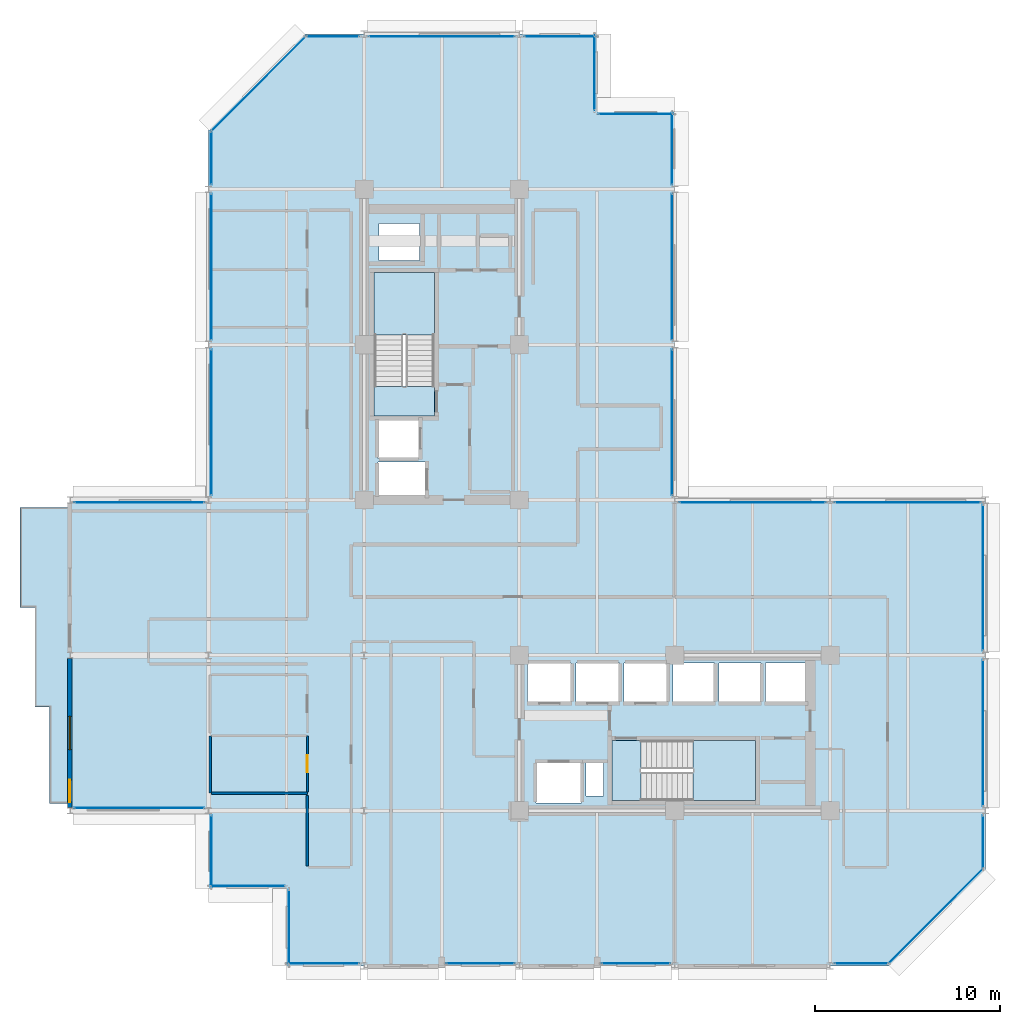
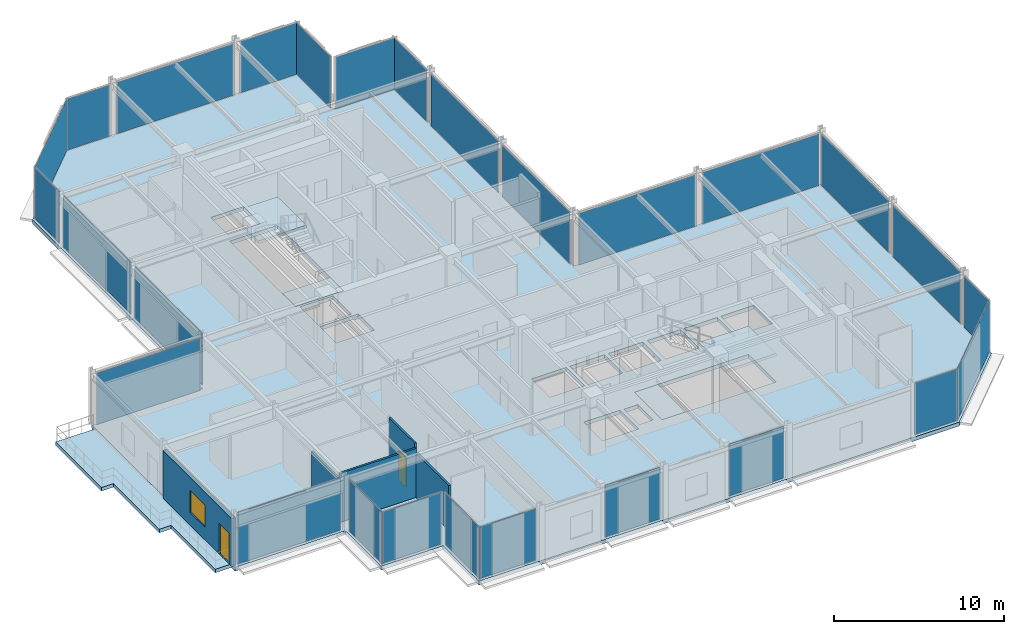
# One storey, part 23 of 29: 27 plates, 6 slabs, 5 walls, 2 doors, 1 window, 3 openings, 29 elements without a shape of their own.
"""IFC4 building model written with IfcOpenShell, lengths in metres."""

from ifc_helpers import new_model, si_unit, direction, frame, frame_2d, origin, origin_2d, place, context, subcontext, project, spatial, polyline, rectangle, outline, extrude, material, layer, layer_set, type_object, element, fill, aggregate, save


model = new_model("IFC4")

# Units and contexts
model_context = context("Model", 3, precision=1e-05, world=origin(), true_north=direction((0.0, 1.0)))
body_context = subcontext(model_context, "Body", "Model", "MODEL_VIEW")
ifc_project = project(units=[si_unit("LENGTHUNIT", "METRE"), si_unit("AREAUNIT", "SQUARE_METRE"), si_unit("VOLUMEUNIT", "CUBIC_METRE"), si_unit("PLANEANGLEUNIT", "RADIAN"), si_unit("MASSUNIT", "GRAM", prefix="KILO")], contexts=[model_context])

# Site, building, storey
site_placement = place(None, origin())
site = spatial("IfcSite", under=ifc_project, at=site_placement, CompositionType="ELEMENT")
building_placement = place(site_placement, origin())
building = spatial("IfcBuilding", under=site, at=building_placement, Name="Nerrivon Quay Data Exchange", CompositionType="ELEMENT")
storey_placement = place(building_placement, frame((0.0, 0.0, 191.89990234375)))
storey = spatial("IfcBuildingStorey", under=building, at=storey_placement, Name="L45", CompositionType="ELEMENT", Elevation=191.89990234375)

# Curtain wall, plate
ifc_material_1 = material(Name="Anodised aluminium 6063-T6", Category="aluminium")
ifc_layer_1 = layer(ifc_material_1, 0.199951171875)
ifc_layer_set_1 = layer_set([ifc_layer_1], Name="Anodised aluminium 6063-T6")
curtain_wall_type_1 = type_object("IfcCurtainWallType", Name="CW-SYS-04", PredefinedType="NOTDEFINED", material=ifc_layer_set_1)
curtain_wall_1_placement = place(storey_placement, origin())
curtain_wall_1 = element("IfcCurtainWall", 1, at=curtain_wall_1_placement, inside=storey, type_object=curtain_wall_type_1, Name="L45 Unitised Curtain Wall 3", PredefinedType="NOTDEFINED")
ifc_material_2 = material(Name="Double-glazed low-E solar control glass", Category="glass")
ifc_layer_2 = layer(ifc_material_2, 0.028076171875)
ifc_layer_set_2 = layer_set([ifc_layer_2], Name="Double-glazed low-E solar control glass")
plate_type = type_object("IfcPlateType", Name="CWP-GLZ-28", PredefinedType="CURTAIN_PANEL", material=ifc_layer_set_2)
plate_1_placement = place(storey_placement, frame((-3.759765625, 25.06005859375, 0.06494140625), z_axis=(0.0, 0.0, 1.0), x_axis=(1.0, 0.0, 0.0)))
plate_1 = element("IfcPlate", 2, at=plate_1_placement, type_object=plate_type, Name="CW04 panel 1.1", PredefinedType="CURTAIN_PANEL", context=body_context, shape_type="SweptSolid", body=[
    extrude(rectangle(XDim=7.01953125, YDim=0.028076171875, at=origin_2d()), origin(), (0.0, 0.0, 1.0), 3.695068359375),
])
aggregate(curtain_wall_1, [plate_1])

ifc_layer_3 = layer(ifc_material_1, 0.195068359375)
ifc_layer_set_3 = layer_set([ifc_layer_3], Name="Anodised aluminium 6063-T6")
curtain_wall_type_2 = type_object("IfcCurtainWallType", Name="CW-SYS-06", PredefinedType="NOTDEFINED", material=ifc_layer_set_3)
curtain_wall_2_placement = place(storey_placement, origin())
curtain_wall_2 = element("IfcCurtainWall", 3, at=curtain_wall_2_placement, inside=storey, type_object=curtain_wall_type_2, Name="L45 Unitised Curtain Wall 4", PredefinedType="NOTDEFINED")
plate_2_placement = place(storey_placement, frame((0.139892578125, 29.39990234375, 0.06494140625), z_axis=(0.0, 0.0, 1.0), x_axis=(0.0, 1.0, 0.0)))
plate_2 = element("IfcPlate", 4, at=plate_2_placement, type_object=plate_type, Name="CW06 panel 1.1", PredefinedType="CURTAIN_PANEL", context=body_context, shape_type="SweptSolid", body=[
    extrude(rectangle(XDim=7.89990234375, YDim=0.028076171875, at=origin_2d()), origin(), (0.0, 0.0, 1.0), 3.695068359375),
])
aggregate(curtain_wall_2, [plate_2])

curtain_wall_3_placement = place(storey_placement, origin())
curtain_wall_3 = element("IfcCurtainWall", 5, at=curtain_wall_3_placement, inside=storey, type_object=curtain_wall_type_2, Name="L45 Unitised Curtain Wall 5", PredefinedType="NOTDEFINED")
plate_3_placement = place(storey_placement, frame((0.139892578125, 37.800048828125, 0.06494140625), z_axis=(0.0, 0.0, 1.0), x_axis=(0.0, 1.0, 0.0)))
plate_3 = element("IfcPlate", 6, at=plate_3_placement, type_object=plate_type, Name="CW06 panel 1.1", PredefinedType="CURTAIN_PANEL", context=body_context, shape_type="SweptSolid", body=[
    extrude(rectangle(XDim=7.89990234375, YDim=0.028076171875, at=origin_2d()), origin(), (0.0, 0.0, 1.0), 3.695068359375),
])
aggregate(curtain_wall_3, [plate_3])

curtain_wall_4_placement = place(storey_placement, origin())
curtain_wall_4 = element("IfcCurtainWall", 7, at=curtain_wall_4_placement, inside=storey, type_object=curtain_wall_type_2, Name="L45 Unitised Curtain Wall 6", PredefinedType="NOTDEFINED")
plate_4_placement = place(storey_placement, frame((0.139892578125, 43.6875, 0.06494140625), z_axis=(0.0, 0.0, 1.0), x_axis=(0.0, 1.0, 0.0)))
plate_4 = element("IfcPlate", 8, at=plate_4_placement, type_object=plate_type, Name="CW06 panel 1.1", PredefinedType="CURTAIN_PANEL", context=body_context, shape_type="SweptSolid", body=[
    extrude(rectangle(XDim=2.875, YDim=0.028076171875, at=origin_2d()), origin(), (0.0, 0.0, 1.0), 3.695068359375),
])
aggregate(curtain_wall_4, [plate_4])

curtain_wall_5_placement = place(storey_placement, origin())
curtain_wall_5 = element("IfcCurtainWall", 9, at=curtain_wall_5_placement, inside=storey, type_object=curtain_wall_type_2, Name="L45 Unitised Curtain Wall 7", PredefinedType="NOTDEFINED")
plate_5_placement = place(storey_placement, frame((2.698974609375, 47.700927734375, 0.06494140625), z_axis=(0.0, 0.0, 1.0), x_axis=(0.707106781187, 0.707106781187, 0.0)))
plate_5 = element("IfcPlate", 10, at=plate_5_placement, type_object=plate_type, Name="CW06 panel 1.1", PredefinedType="CURTAIN_PANEL", context=body_context, shape_type="SweptSolid", body=[
    extrude(rectangle(XDim=7.203857421875, YDim=0.028076171875, at=origin_2d()), origin(), (0.0, 0.0, 1.0), 3.695068359375),
])
aggregate(curtain_wall_5, [plate_5])

curtain_wall_6_placement = place(storey_placement, origin())
curtain_wall_6 = element("IfcCurtainWall", 11, at=curtain_wall_6_placement, inside=storey, type_object=curtain_wall_type_2, Name="L45 Unitised Curtain Wall 8", PredefinedType="NOTDEFINED")
plate_6_placement = place(storey_placement, frame((6.71240234375, 50.260009765625, 0.06494140625), z_axis=(0.0, 0.0, 1.0), x_axis=(1.0, 0.0, 0.0)))
plate_6 = element("IfcPlate", 12, at=plate_6_placement, type_object=plate_type, Name="CW06 panel 1.1", PredefinedType="CURTAIN_PANEL", context=body_context, shape_type="SweptSolid", body=[
    extrude(rectangle(XDim=2.875, YDim=0.028076171875, at=origin_2d()), origin(), (0.0, 0.0, 1.0), 3.695068359375),
])
aggregate(curtain_wall_6, [plate_6])

curtain_wall_7_placement = place(storey_placement, origin())
curtain_wall_7 = element("IfcCurtainWall", 13, at=curtain_wall_7_placement, inside=storey, type_object=curtain_wall_type_2, Name="L45 Unitised Curtain Wall 9", PredefinedType="NOTDEFINED")
plate_7_placement = place(storey_placement, frame((12.60009765625, 50.260009765625, 0.06494140625), z_axis=(0.0, 0.0, 1.0), x_axis=(1.0, 0.0, 0.0)))
plate_7 = element("IfcPlate", 14, at=plate_7_placement, type_object=plate_type, Name="CW06 panel 1.1", PredefinedType="CURTAIN_PANEL", context=body_context, shape_type="SweptSolid", body=[
    extrude(rectangle(XDim=7.89990234375, YDim=0.028076171875, at=origin_2d()), origin(), (0.0, 0.0, 1.0), 3.695068359375),
])
aggregate(curtain_wall_7, [plate_7])

curtain_wall_8_placement = place(storey_placement, origin())
curtain_wall_8 = element("IfcCurtainWall", 15, at=curtain_wall_8_placement, inside=storey, type_object=curtain_wall_type_2, Name="L45 Unitised Curtain Wall 10", PredefinedType="NOTDEFINED")
plate_8_placement = place(storey_placement, frame((18.987548828125, 50.260009765625, 0.06494140625), z_axis=(0.0, 0.0, 1.0), x_axis=(1.0, 0.0, 0.0)))
plate_8 = element("IfcPlate", 16, at=plate_8_placement, type_object=plate_type, Name="CW06 panel 1.1", PredefinedType="CURTAIN_PANEL", context=body_context, shape_type="SweptSolid", body=[
    extrude(rectangle(XDim=3.875, YDim=0.028076171875, at=origin_2d()), origin(), (0.0, 0.0, 1.0), 3.695068359375),
])
aggregate(curtain_wall_8, [plate_8])

curtain_wall_9_placement = place(storey_placement, origin())
curtain_wall_9 = element("IfcCurtainWall", 17, at=curtain_wall_9_placement, inside=storey, type_object=curtain_wall_type_2, Name="L45 Unitised Curtain Wall 11", PredefinedType="NOTDEFINED")
plate_9_placement = place(storey_placement, frame((20.860107421875, 48.300048828125, 0.06494140625), z_axis=(0.0, 0.0, 1.0), x_axis=(0.0, -1.0, 0.0)))
plate_9 = element("IfcPlate", 18, at=plate_9_placement, type_object=plate_type, Name="CW06 panel 1.1", PredefinedType="CURTAIN_PANEL", context=body_context, shape_type="SweptSolid", body=[
    extrude(rectangle(XDim=4.050048828125, YDim=0.028076171875, at=origin_2d()), origin(), (0.0, 0.0, 1.0), 3.695068359375),
])
aggregate(curtain_wall_9, [plate_9])

curtain_wall_10_placement = place(storey_placement, origin())
curtain_wall_10 = element("IfcCurtainWall", 19, at=curtain_wall_10_placement, inside=storey, type_object=curtain_wall_type_2, Name="L45 Unitised Curtain Wall 12", PredefinedType="NOTDEFINED")
plate_10_placement = place(storey_placement, frame((23.10009765625, 46.06005859375, 0.06494140625), z_axis=(0.0, 0.0, 1.0), x_axis=(1.0, 0.0, 0.0)))
plate_10 = element("IfcPlate", 20, at=plate_10_placement, type_object=plate_type, Name="CW06 panel 1.1", PredefinedType="CURTAIN_PANEL", context=body_context, shape_type="SweptSolid", body=[
    extrude(rectangle(XDim=4.050048828125, YDim=0.028076171875, at=origin_2d()), origin(), (0.0, 0.0, 1.0), 3.695068359375),
])
aggregate(curtain_wall_10, [plate_10])

curtain_wall_11_placement = place(storey_placement, origin())
curtain_wall_11 = element("IfcCurtainWall", 21, at=curtain_wall_11_placement, inside=storey, type_object=curtain_wall_type_2, Name="L45 Unitised Curtain Wall 13", PredefinedType="NOTDEFINED")
plate_11_placement = place(storey_placement, frame((25.06005859375, 44.1875, 0.06494140625), z_axis=(0.0, 0.0, 1.0), x_axis=(0.0, -1.0, 0.0)))
plate_11 = element("IfcPlate", 22, at=plate_11_placement, type_object=plate_type, Name="CW06 panel 1.1", PredefinedType="CURTAIN_PANEL", context=body_context, shape_type="SweptSolid", body=[
    extrude(rectangle(XDim=3.875, YDim=0.028076171875, at=origin_2d()), origin(), (0.0, 0.0, 1.0), 3.695068359375),
])
aggregate(curtain_wall_11, [plate_11])

curtain_wall_12_placement = place(storey_placement, origin())
curtain_wall_12 = element("IfcCurtainWall", 23, at=curtain_wall_12_placement, inside=storey, type_object=curtain_wall_type_2, Name="L45 Unitised Curtain Wall 14", PredefinedType="NOTDEFINED")
plate_12_placement = place(storey_placement, frame((25.06005859375, 37.800048828125, 0.06494140625), z_axis=(0.0, 0.0, 1.0), x_axis=(0.0, -1.0, 0.0)))
plate_12 = element("IfcPlate", 24, at=plate_12_placement, type_object=plate_type, Name="CW06 panel 1.1", PredefinedType="CURTAIN_PANEL", context=body_context, shape_type="SweptSolid", body=[
    extrude(rectangle(XDim=7.89990234375, YDim=0.028076171875, at=origin_2d()), origin(), (0.0, 0.0, 1.0), 3.695068359375),
])
aggregate(curtain_wall_12, [plate_12])

curtain_wall_13_placement = place(storey_placement, origin())
curtain_wall_13 = element("IfcCurtainWall", 25, at=curtain_wall_13_placement, inside=storey, type_object=curtain_wall_type_2, Name="L45 Unitised Curtain Wall 15", PredefinedType="NOTDEFINED")
plate_13_placement = place(storey_placement, frame((25.06005859375, 29.39990234375, 0.06494140625), z_axis=(0.0, 0.0, 1.0), x_axis=(0.0, -1.0, 0.0)))
plate_13 = element("IfcPlate", 26, at=plate_13_placement, type_object=plate_type, Name="CW06 panel 1.1", PredefinedType="CURTAIN_PANEL", context=body_context, shape_type="SweptSolid", body=[
    extrude(rectangle(XDim=7.89990234375, YDim=0.028076171875, at=origin_2d()), origin(), (0.0, 0.0, 1.0), 3.695068359375),
])
aggregate(curtain_wall_13, [plate_13])

curtain_wall_14_placement = place(storey_placement, origin())
curtain_wall_14 = element("IfcCurtainWall", 27, at=curtain_wall_14_placement, inside=storey, type_object=curtain_wall_type_2, Name="L45 Unitised Curtain Wall 16", PredefinedType="NOTDEFINED")
plate_14_placement = place(storey_placement, frame((29.39990234375, 25.06005859375, 0.06494140625), z_axis=(0.0, 0.0, 1.0), x_axis=(1.0, 0.0, 0.0)))
plate_14 = element("IfcPlate", 28, at=plate_14_placement, type_object=plate_type, Name="CW06 panel 1.1", PredefinedType="CURTAIN_PANEL", context=body_context, shape_type="SweptSolid", body=[
    extrude(rectangle(XDim=7.89990234375, YDim=0.028076171875, at=origin_2d()), origin(), (0.0, 0.0, 1.0), 3.695068359375),
])
aggregate(curtain_wall_14, [plate_14])

curtain_wall_15_placement = place(storey_placement, origin())
curtain_wall_15 = element("IfcCurtainWall", 29, at=curtain_wall_15_placement, inside=storey, type_object=curtain_wall_type_2, Name="L45 Unitised Curtain Wall 17", PredefinedType="NOTDEFINED")
plate_15_placement = place(storey_placement, frame((37.800048828125, 25.06005859375, 0.06494140625), z_axis=(0.0, 0.0, 1.0), x_axis=(1.0, 0.0, 0.0)))
plate_15 = element("IfcPlate", 30, at=plate_15_placement, type_object=plate_type, Name="CW06 panel 1.1", PredefinedType="CURTAIN_PANEL", context=body_context, shape_type="SweptSolid", body=[
    extrude(rectangle(XDim=7.89990234375, YDim=0.028076171875, at=origin_2d()), origin(), (0.0, 0.0, 1.0), 3.695068359375),
])
aggregate(curtain_wall_15, [plate_15])

curtain_wall_16_placement = place(storey_placement, origin())
curtain_wall_16 = element("IfcCurtainWall", 31, at=curtain_wall_16_placement, inside=storey, type_object=curtain_wall_type_2, Name="L45 Unitised Curtain Wall 18", PredefinedType="NOTDEFINED")
plate_16_placement = place(storey_placement, frame((41.860107421875, 21.0, 0.06494140625), z_axis=(0.0, 0.0, 1.0), x_axis=(0.0, -1.0, 0.0)))
plate_16 = element("IfcPlate", 32, at=plate_16_placement, type_object=plate_type, Name="CW06 panel 1.1", PredefinedType="CURTAIN_PANEL", context=body_context, shape_type="SweptSolid", body=[
    extrude(rectangle(XDim=7.89990234375, YDim=0.028076171875, at=origin_2d()), origin(), (0.0, 0.0, 1.0), 3.695068359375),
])
aggregate(curtain_wall_16, [plate_16])

curtain_wall_17_placement = place(storey_placement, origin())
curtain_wall_17 = element("IfcCurtainWall", 33, at=curtain_wall_17_placement, inside=storey, type_object=curtain_wall_type_2, Name="L45 Unitised Curtain Wall 19", PredefinedType="NOTDEFINED")
plate_17_placement = place(storey_placement, frame((41.860107421875, 12.60009765625, 0.06494140625), z_axis=(0.0, 0.0, 1.0), x_axis=(0.0, -1.0, 0.0)))
plate_17 = element("IfcPlate", 34, at=plate_17_placement, type_object=plate_type, Name="CW06 panel 1.1", PredefinedType="CURTAIN_PANEL", context=body_context, shape_type="SweptSolid", body=[
    extrude(rectangle(XDim=7.89990234375, YDim=0.028076171875, at=origin_2d()), origin(), (0.0, 0.0, 1.0), 3.695068359375),
])
aggregate(curtain_wall_17, [plate_17])

curtain_wall_18_placement = place(storey_placement, origin())
curtain_wall_18 = element("IfcCurtainWall", 35, at=curtain_wall_18_placement, inside=storey, type_object=curtain_wall_type_2, Name="L45 Unitised Curtain Wall 20", PredefinedType="NOTDEFINED")
plate_18_placement = place(storey_placement, frame((41.860107421875, 6.71240234375, 0.06494140625), z_axis=(0.0, 0.0, 1.0), x_axis=(0.0, -1.0, 0.0)))
plate_18 = element("IfcPlate", 36, at=plate_18_placement, type_object=plate_type, Name="CW06 panel 1.1", PredefinedType="CURTAIN_PANEL", context=body_context, shape_type="SweptSolid", body=[
    extrude(rectangle(XDim=2.875, YDim=0.028076171875, at=origin_2d()), origin(), (0.0, 0.0, 1.0), 3.695068359375),
])
aggregate(curtain_wall_18, [plate_18])

curtain_wall_19_placement = place(storey_placement, origin())
curtain_wall_19 = element("IfcCurtainWall", 37, at=curtain_wall_19_placement, inside=storey, type_object=curtain_wall_type_2, Name="L45 Unitised Curtain Wall 21", PredefinedType="NOTDEFINED")
plate_19_placement = place(storey_placement, frame((39.301025390625, 2.698974609375, 0.06494140625), z_axis=(0.0, 0.0, 1.0), x_axis=(-0.707106781187, -0.707106781187, 0.0)))
plate_19 = element("IfcPlate", 38, at=plate_19_placement, type_object=plate_type, Name="CW06 panel 1.1", PredefinedType="CURTAIN_PANEL", context=body_context, shape_type="SweptSolid", body=[
    extrude(rectangle(XDim=7.203857421875, YDim=0.028076171875, at=origin_2d()), origin(), (0.0, 0.0, 1.0), 3.695068359375),
])
aggregate(curtain_wall_19, [plate_19])

curtain_wall_20_placement = place(storey_placement, origin())
curtain_wall_20 = element("IfcCurtainWall", 39, at=curtain_wall_20_placement, inside=storey, type_object=curtain_wall_type_2, Name="L45 Unitised Curtain Wall 22", PredefinedType="NOTDEFINED")
plate_20_placement = place(storey_placement, frame((35.28759765625, 0.139892578125, 0.06494140625), z_axis=(0.0, 0.0, 1.0), x_axis=(-1.0, 0.0, 0.0)))
plate_20 = element("IfcPlate", 40, at=plate_20_placement, type_object=plate_type, Name="CW06 panel 1.1", PredefinedType="CURTAIN_PANEL", context=body_context, shape_type="SweptSolid", body=[
    extrude(rectangle(XDim=2.875, YDim=0.028076171875, at=origin_2d()), origin(), (0.0, 0.0, 1.0), 3.695068359375),
])
aggregate(curtain_wall_20, [plate_20])

curtain_wall_21_placement = place(storey_placement, origin())
curtain_wall_21 = element("IfcCurtainWall", 41, at=curtain_wall_21_placement, inside=storey, type_object=curtain_wall_type_2, Name="L45 Unitised Curtain Wall 24", PredefinedType="NOTDEFINED")
plate_21_placement = place(storey_placement, frame((23.10009765625, 0.139892578125, 0.06494140625), z_axis=(0.0, 0.0, 1.0), x_axis=(-1.0, 0.0, 0.0)))
plate_21 = element("IfcPlate", 42, at=plate_21_placement, type_object=plate_type, Name="CW06 panel 1.1", PredefinedType="CURTAIN_PANEL", context=body_context, shape_type="SweptSolid", body=[
    extrude(rectangle(XDim=3.699951171875, YDim=0.028076171875, at=origin_2d()), origin(), (0.0, 0.0, 1.0), 3.695068359375),
])
aggregate(curtain_wall_21, [plate_21])

curtain_wall_22_placement = place(storey_placement, origin())
curtain_wall_22 = element("IfcCurtainWall", 43, at=curtain_wall_22_placement, inside=storey, type_object=curtain_wall_type_2, Name="L45 Unitised Curtain Wall 26", PredefinedType="NOTDEFINED")
plate_22_placement = place(storey_placement, frame((14.699951171875, 0.139892578125, 0.06494140625), z_axis=(0.0, 0.0, 1.0), x_axis=(-1.0, 0.0, 0.0)))
plate_22 = element("IfcPlate", 44, at=plate_22_placement, type_object=plate_type, Name="CW06 panel 1.1", PredefinedType="CURTAIN_PANEL", context=body_context, shape_type="SweptSolid", body=[
    extrude(rectangle(XDim=3.699951171875, YDim=0.028076171875, at=origin_2d()), origin(), (0.0, 0.0, 1.0), 3.695068359375),
])
aggregate(curtain_wall_22, [plate_22])

curtain_wall_23_placement = place(storey_placement, origin())
curtain_wall_23 = element("IfcCurtainWall", 45, at=curtain_wall_23_placement, inside=storey, type_object=curtain_wall_type_2, Name="L45 Unitised Curtain Wall 28", PredefinedType="NOTDEFINED")
plate_23_placement = place(storey_placement, frame((6.21240234375, 0.139892578125, 0.06494140625), z_axis=(0.0, 0.0, 1.0), x_axis=(-1.0, 0.0, 0.0)))
plate_23 = element("IfcPlate", 46, at=plate_23_placement, type_object=plate_type, Name="CW06 panel 1.1", PredefinedType="CURTAIN_PANEL", context=body_context, shape_type="SweptSolid", body=[
    extrude(rectangle(XDim=3.875, YDim=0.028076171875, at=origin_2d()), origin(), (0.0, 0.0, 1.0), 3.695068359375),
])
aggregate(curtain_wall_23, [plate_23])

curtain_wall_24_placement = place(storey_placement, origin())
curtain_wall_24 = element("IfcCurtainWall", 47, at=curtain_wall_24_placement, inside=storey, type_object=curtain_wall_type_2, Name="L45 Unitised Curtain Wall 29", PredefinedType="NOTDEFINED")
plate_24_placement = place(storey_placement, frame((4.340087890625, 2.10009765625, 0.06494140625), z_axis=(0.0, 0.0, 1.0), x_axis=(0.0, 1.0, 0.0)))
plate_24 = element("IfcPlate", 48, at=plate_24_placement, type_object=plate_type, Name="CW06 panel 1.1", PredefinedType="CURTAIN_PANEL", context=body_context, shape_type="SweptSolid", body=[
    extrude(rectangle(XDim=4.050048828125, YDim=0.028076171875, at=origin_2d()), origin(), (0.0, 0.0, 1.0), 3.695068359375),
])
aggregate(curtain_wall_24, [plate_24])

curtain_wall_25_placement = place(storey_placement, origin())
curtain_wall_25 = element("IfcCurtainWall", 49, at=curtain_wall_25_placement, inside=storey, type_object=curtain_wall_type_2, Name="L45 Unitised Curtain Wall 30", PredefinedType="NOTDEFINED")
plate_25_placement = place(storey_placement, frame((2.10009765625, 4.340087890625, 0.06494140625), z_axis=(0.0, 0.0, 1.0), x_axis=(-1.0, 0.0, 0.0)))
plate_25 = element("IfcPlate", 50, at=plate_25_placement, type_object=plate_type, Name="CW06 panel 1.1", PredefinedType="CURTAIN_PANEL", context=body_context, shape_type="SweptSolid", body=[
    extrude(rectangle(XDim=4.050048828125, YDim=0.028076171875, at=origin_2d()), origin(), (0.0, 0.0, 1.0), 3.695068359375),
])
aggregate(curtain_wall_25, [plate_25])

curtain_wall_26_placement = place(storey_placement, origin())
curtain_wall_26 = element("IfcCurtainWall", 51, at=curtain_wall_26_placement, inside=storey, type_object=curtain_wall_type_2, Name="L45 Unitised Curtain Wall 31", PredefinedType="NOTDEFINED")
plate_26_placement = place(storey_placement, frame((0.139892578125, 6.21240234375, 0.06494140625), z_axis=(0.0, 0.0, 1.0), x_axis=(0.0, 1.0, 0.0)))
plate_26 = element("IfcPlate", 52, at=plate_26_placement, type_object=plate_type, Name="CW06 panel 1.1", PredefinedType="CURTAIN_PANEL", context=body_context, shape_type="SweptSolid", body=[
    extrude(rectangle(XDim=3.875, YDim=0.028076171875, at=origin_2d()), origin(), (0.0, 0.0, 1.0), 3.695068359375),
])
aggregate(curtain_wall_26, [plate_26])

curtain_wall_27_placement = place(storey_placement, origin())
curtain_wall_27 = element("IfcCurtainWall", 53, at=curtain_wall_27_placement, inside=storey, type_object=curtain_wall_type_1, Name="L45 Unitised Curtain Wall 32", PredefinedType="NOTDEFINED")
plate_27_placement = place(storey_placement, frame((-3.759765625, 8.5400390625, 0.06494140625), z_axis=(0.0, 0.0, 1.0), x_axis=(-1.0, 0.0, 0.0)))
plate_27 = element("IfcPlate", 54, at=plate_27_placement, type_object=plate_type, Name="CW04 panel 1.1", PredefinedType="CURTAIN_PANEL", context=body_context, shape_type="SweptSolid", body=[
    extrude(rectangle(XDim=7.01953125, YDim=0.028076171875, at=origin_2d()), origin(), (0.0, 0.0, 1.0), 3.695068359375),
])
aggregate(curtain_wall_27, [plate_27])

# Slab
ifc_material_3 = material(Name="Precast white architectural concrete N50 (50 MPa)", Category="concrete")
ifc_layer_4 = layer(ifc_material_3, 0.25)
ifc_layer_set_4 = layer_set([ifc_layer_4], Name="Precast white architectural concrete N50 (50 MPa)")
slab_type_1 = type_object("IfcSlabType", Name="SLB-BAL-250", PredefinedType="FLOOR", material=ifc_layer_set_4)
slab_1_placement = place(storey_placement, frame((0.0, 0.0, -0.25)))
element("IfcSlab", 55, at=slab_1_placement, inside=storey, type_object=slab_type_1, Name="L45 West Hooked Drifting Verandah", PredefinedType="FLOOR", context=body_context, shape_type="SweptSolid", body=[
    extrude(outline(polyline([(-7.5, 14.0), (-7.5, 19.39990234375), (-7.5, 24.800048828125), (-10.199951171875, 24.800048828125), (-10.199951171875, 19.39990234375), (-9.39990234375, 19.39990234375), (-9.39990234375, 14.0), (-8.60009765625, 14.0), (-8.60009765625, 8.800048828125), (-7.5, 8.800048828125), (-7.5, 14.0)])), origin(), (0.0, 0.0, 1.0), 0.25),
])

# Stair, slab
ifc_material_4 = material(Name="Concrete N50 (50 MPa)", Category="concrete")
stair_type = type_object("IfcStairType", Name="STAIR-DOG-41", PredefinedType="HALF_TURN_STAIR", material=ifc_material_4)
stair_1_placement = place(storey_placement, origin())
stair_1 = element("IfcStair", 56, at=stair_1_placement, inside=storey, type_object=stair_type, Name="L45 West Core Fire Stair ST01", PredefinedType="HALF_TURN_STAIR")
ifc_layer_5 = layer(ifc_material_4, 0.199951171875)
ifc_layer_set_5 = layer_set([ifc_layer_5], Name="Concrete N50 (50 MPa)")
slab_type_2 = type_object("IfcSlabType", Name="SLB-LAND-200", PredefinedType="LANDING", material=ifc_layer_set_5)
slab_2_placement = place(storey_placement, frame((0.0, 0.0, 1.85009765625)))
slab_2 = element("IfcSlab", 57, at=slab_2_placement, type_object=slab_type_2, Name="ST01 landing 1", PredefinedType="LANDING", context=body_context, shape_type="SweptSolid", body=[
    extrude(outline(polyline([(12.199951171875, 34.1298828125), (12.199951171875, 37.5), (8.949951171875, 37.5), (8.949951171875, 34.1298828125), (12.199951171875, 34.1298828125)])), origin(), (0.0, 0.0, 1.0), 0.199951171875),
])
aggregate(stair_1, [slab_2])

# Slab
slab_3_placement = place(storey_placement, frame((0.0, 0.0, -0.199951171875)))
element("IfcSlab", 58, at=slab_3_placement, inside=storey, type_object=slab_type_2, Name="L45 ST01 floor landing", PredefinedType="LANDING", context=body_context, shape_type="SweptSolid", body=[
    extrude(outline(polyline([(12.199951171875, 29.75), (12.199951171875, 31.330078125), (8.949951171875, 31.330078125), (8.949951171875, 29.75), (12.199951171875, 29.75)])), origin(), (0.0, 0.0, 1.0), 0.199951171875),
])

# Stair, slab
stair_2_placement = place(storey_placement, origin())
stair_2 = element("IfcStair", 59, at=stair_2_placement, inside=storey, type_object=stair_type, Name="L45 East Core Fire Stair ST02", PredefinedType="HALF_TURN_STAIR")
slab_4_placement = place(storey_placement, frame((0.0, 0.0, 1.85009765625)))
slab_4 = element("IfcSlab", 60, at=slab_4_placement, type_object=slab_type_2, Name="ST02 landing 1", PredefinedType="LANDING", context=body_context, shape_type="SweptSolid", body=[
    extrude(outline(polyline([(26.179931640625, 8.949951171875), (29.550048828125, 8.949951171875), (29.550048828125, 12.199951171875), (26.179931640625, 12.199951171875), (26.179931640625, 8.949951171875)])), origin(), (0.0, 0.0, 1.0), 0.199951171875),
])
aggregate(stair_2, [slab_4])

# Slabs
slab_5_placement = place(storey_placement, frame((0.0, 0.0, -0.199951171875)))
element("IfcSlab", 61, at=slab_5_placement, inside=storey, type_object=slab_type_2, Name="L45 ST02 floor landing", PredefinedType="LANDING", context=body_context, shape_type="SweptSolid", body=[
    extrude(outline(polyline([(21.800048828125, 8.949951171875), (23.3798828125, 8.949951171875), (23.3798828125, 12.199951171875), (21.800048828125, 12.199951171875), (21.800048828125, 8.949951171875)])), origin(), (0.0, 0.0, 1.0), 0.199951171875),
])
ifc_layer_6 = layer(ifc_material_4, 0.27490234375)
ifc_layer_set_6 = layer_set([ifc_layer_6], Name="Concrete N50 (50 MPa)")
slab_type_3 = type_object("IfcSlabType", Name="SLB-TOW-275", PredefinedType="FLOOR", material=ifc_layer_set_6)
slab_6_placement = place(storey_placement, frame((0.0, 0.0, -0.27490234375)))
element("IfcSlab", 62, at=slab_6_placement, inside=storey, type_object=slab_type_3, Name="L45 Primary Structural Slab", PredefinedType="FLOOR", context=body_context, shape_type="SweptSolid", body=[
    extrude(outline(polyline([(0.0, 8.39990234375), (0.0, 4.199951171875), (4.199951171875, 4.199951171875), (4.199951171875, 0.0), (36.800048828125, 0.0), (42.0, 5.199951171875), (42.0, 25.199951171875), (25.199951171875, 25.199951171875), (25.199951171875, 46.199951171875), (21.0, 46.199951171875), (21.0, 50.39990234375), (5.199951171875, 50.39990234375), (0.0, 45.199951171875), (0.0, 25.199951171875), (-7.5, 25.199951171875), (-7.5, 8.39990234375), (0.0, 8.39990234375)]), holes=[polyline([(8.949951171875, 29.75), (8.949951171875, 37.5), (12.199951171875, 37.5), (12.199951171875, 29.75), (8.949951171875, 29.75)]), polyline([(21.800048828125, 12.199951171875), (29.550048828125, 12.199951171875), (29.550048828125, 8.949951171875), (21.800048828125, 8.949951171875), (21.800048828125, 12.199951171875)]), polyline([(30.10009765625, 16.39990234375), (32.35009765625, 16.39990234375), (32.35009765625, 14.25), (30.10009765625, 14.25), (30.10009765625, 16.39990234375)]), polyline([(27.60009765625, 16.39990234375), (29.85009765625, 16.39990234375), (29.85009765625, 14.25), (27.60009765625, 14.25), (27.60009765625, 16.39990234375)]), polyline([(25.10009765625, 14.25), (25.10009765625, 16.39990234375), (27.35009765625, 16.39990234375), (27.35009765625, 14.25), (25.10009765625, 14.25)]), polyline([(22.449951171875, 16.39990234375), (24.800048828125, 16.39990234375), (24.800048828125, 14.25), (22.449951171875, 14.25), (22.449951171875, 16.39990234375)]), polyline([(19.85009765625, 16.39990234375), (22.199951171875, 16.39990234375), (22.199951171875, 14.25), (19.85009765625, 14.25), (19.85009765625, 16.39990234375)]), polyline([(20.39990234375, 9.199951171875), (20.39990234375, 11.0), (21.35009765625, 11.0), (21.35009765625, 9.199951171875), (20.39990234375, 9.199951171875)]), polyline([(17.699951171875, 8.830078125), (17.699951171875, 11.030029296875), (20.14990234375, 11.030029296875), (20.14990234375, 8.830078125), (17.699951171875, 8.830078125)]), polyline([(17.25, 14.25), (17.25, 16.39990234375), (19.60009765625, 16.39990234375), (19.60009765625, 14.25), (17.25, 14.25)]), polyline([(9.14990234375, 27.25), (11.75, 27.25), (11.75, 25.35009765625), (9.14990234375, 25.35009765625), (9.14990234375, 27.25)]), polyline([(9.14990234375, 29.60009765625), (11.39990234375, 29.60009765625), (11.39990234375, 27.449951171875), (9.14990234375, 27.449951171875), (9.14990234375, 29.60009765625)]), polyline([(9.199951171875, 38.14990234375), (9.199951171875, 40.14990234375), (11.39990234375, 40.14990234375), (11.39990234375, 38.14990234375), (9.199951171875, 38.14990234375)])]), origin(), (0.0, 0.0, 1.0), 0.27490234375),
])

# Wall, openings, door, window
ifc_material_5 = material(Name="Architectural terracotta precast concrete N50 (50 MPa)", Category="masonry")
ifc_layer_7 = layer(ifc_material_5, 0.239990234375)
ifc_layer_set_7 = layer_set([ifc_layer_7], Name="Architectural terracotta precast concrete N50 (50 MPa)")
wall_type_1 = type_object("IfcWallType", Name="EW-PREC-240", PredefinedType="STANDARD", material=ifc_layer_set_7)
wall_1_placement = place(storey_placement, frame((-7.5, 8.5634765625, 0.0), z_axis=(0.0, 0.0, 1.0), x_axis=(0.0, 1.0, 0.0)))
wall_1 = element("IfcWall", 63, at=wall_1_placement, inside=storey, type_object=wall_type_1, Name="L45 Terrace Host Wall 1", PredefinedType="STANDARD", context=body_context, shape_type="SweptSolid", body=[
    extrude(rectangle(XDim=8.072998046875, YDim=0.239990234375, at=frame_2d((4.03662109375, 0.0))), origin(), (0.0, 0.0, 1.0), 3.422119140625),
])
opening_1_placement = place(wall_1_placement, frame((0.300048828125, 0.0, 0.0)))
opening_1 = element("IfcOpeningElement", 64, at=opening_1_placement, cuts=wall_1, Name="Opening TD1", PredefinedType="OPENING", context=body_context, shape_type="SweptSolid", body=[
    extrude(rectangle(XDim=1.199951171875, YDim=2.199951171875, at=frame_2d((0.60009765625, 1.10009765625))), frame((0.0, 0.1298828125, 0.0), z_axis=(0.0, -1.0, 0.0), x_axis=(1.0, 0.0, 0.0)), (0.0, 0.0, 1.0), 0.260009765625),
])
opening_2_placement = place(wall_1_placement, frame((3.136474609375, 0.0, 0.89990234375)))
opening_2 = element("IfcOpeningElement", 65, at=opening_2_placement, cuts=wall_1, Name="Opening WN2", PredefinedType="OPENING", context=body_context, shape_type="SweptSolid", body=[
    extrude(rectangle(XDim=1.800048828125, YDim=1.60009765625, at=frame_2d((0.89990234375, 0.800048828125))), frame((0.0, 0.1298828125, 0.0), z_axis=(0.0, -1.0, 0.0), x_axis=(1.0, 0.0, 0.0)), (0.0, 0.0, 1.0), 0.260009765625),
])
door_type_1 = type_object("IfcDoorType", Name="DR-TERR-1200x2200", OperationType="NOTDEFINED", PredefinedType="DOOR", material=ifc_material_2)
door_1_placement = place(opening_1_placement, origin())
door_1 = element("IfcDoor", 66, at=door_1_placement, inside=storey, type_object=door_type_1, Name="L45 Outdoor Terrace Access Door 1", OperationType="SINGLE_SWING_RIGHT", OverallHeight=2.199951171875, OverallWidth=1.199951171875, PredefinedType="DOOR", context=body_context, shape_type="SweptSolid", body=[
    extrude(rectangle(XDim=1.199951171875, YDim=2.199951171875, at=frame_2d((0.60009765625, 1.10009765625))), frame((0.0, 0.02490234375, 0.0), z_axis=(0.0, -1.0, 0.0), x_axis=(1.0, 0.0, 0.0)), (0.0, 0.0, 1.0), 0.050048828125),
])
fill(opening_1, door_1)
window_type = type_object("IfcWindowType", Name="WIN-W2-1800x1600", PartitioningType="SINGLE_PANEL", PredefinedType="WINDOW", material=ifc_material_2)
window_placement = place(opening_2_placement, origin())
window = element("IfcWindow", 67, at=window_placement, inside=storey, type_object=window_type, Name="L45 Terrace Side Window 1", OverallHeight=1.60009765625, OverallWidth=1.800048828125, PartitioningType="SINGLE_PANEL", PredefinedType="WINDOW", context=body_context, shape_type="SweptSolid", body=[
    extrude(rectangle(XDim=1.800048828125, YDim=1.60009765625, at=frame_2d((0.89990234375, 0.800048828125))), frame((0.0, 0.030029296875, 0.0), z_axis=(0.0, -1.0, 0.0), x_axis=(1.0, 0.0, 0.0)), (0.0, 0.0, 1.0), 0.06005859375),
])
fill(opening_2, window)

# Wall
ifc_material_6 = material(Name="Gypsum plasterboard on cold-formed framing", Category="gypsum")
ifc_layer_8 = layer(ifc_material_6, 0.1201171875)
ifc_layer_set_8 = layer_set([ifc_layer_8], Name="Gypsum plasterboard on cold-formed framing")
wall_type_2 = type_object("IfcWallType", Name="WALL-PT-120", PredefinedType="PARTITIONING", material=ifc_layer_set_8)
wall_2_placement = place(storey_placement, frame((0.080078125, 12.449951171875, 0.0), z_axis=(0.0, 0.0, 1.0), x_axis=(0.0, -1.0, 0.0)))
element("IfcWall", 68, at=wall_2_placement, inside=storey, type_object=wall_type_2, Name="L45 Partition Accessible Toilet", PredefinedType="PARTITIONING", context=body_context, shape_type="SweptSolid", body=[
    extrude(rectangle(XDim=3.099853515625, YDim=0.1201171875, at=frame_2d((1.5498046875, 0.0))), origin(), (0.0, 0.0, 1.0), 3.22314453125),
])

# Wall, opening, door
wall_3_placement = place(storey_placement, frame((5.340087890625, 9.42138671875, 0.0), z_axis=(0.0, 0.0, 1.0), x_axis=(0.0, 1.0, 0.0)))
wall_3 = element("IfcWall", 69, at=wall_3_placement, inside=storey, type_object=wall_type_2, Name="L45 Partition Accessible Toilet", PredefinedType="PARTITIONING", context=body_context, shape_type="SweptSolid", body=[
    extrude(rectangle(XDim=3.028564453125, YDim=0.1201171875, at=frame_2d((1.51416015625, 0.0))), origin(), (0.0, 0.0, 1.0), 3.8251953125),
])
opening_3_placement = place(wall_3_placement, frame((1.05419921875, 0.0, 0.0)))
opening_3 = element("IfcOpeningElement", 70, at=opening_3_placement, cuts=wall_3, Name="Opening D-WC", PredefinedType="OPENING", context=body_context, shape_type="SweptSolid", body=[
    extrude(rectangle(XDim=0.919921875, YDim=2.10009765625, at=frame_2d((0.4599609375, 1.050048828125))), frame((0.0, 0.070068359375, 0.0), z_axis=(0.0, -1.0, 0.0), x_axis=(1.0, 0.0, 0.0)), (0.0, 0.0, 1.0), 0.14013671875),
])
ifc_material_7 = material(Name="Engineered hardwood timber", Category="wood")
door_type_2 = type_object("IfcDoorType", Name="DR-WC-920", OperationType="NOTDEFINED", PredefinedType="DOOR", material=ifc_material_7)
door_2_placement = place(opening_3_placement, origin())
door_2 = element("IfcDoor", 71, at=door_2_placement, inside=storey, type_object=door_type_2, Name="L45 Door Accessible Toilet", OperationType="SINGLE_SWING_RIGHT", OverallHeight=2.10009765625, OverallWidth=0.919921875, PredefinedType="DOOR", context=body_context, shape_type="SweptSolid", body=[
    extrude(rectangle(XDim=0.919921875, YDim=2.10009765625, at=frame_2d((0.4599609375, 1.050048828125))), frame((0.0, 0.02490234375, 0.0), z_axis=(0.0, -1.0, 0.0), x_axis=(1.0, 0.0, 0.0)), (0.0, 0.0, 1.0), 0.050048828125),
])
fill(opening_3, door_2)

# Walls
ifc_layer_9 = layer(ifc_material_6, 0.135009765625)
ifc_layer_set_9 = layer_set([ifc_layer_9], Name="Gypsum plasterboard on cold-formed framing")
wall_type_3 = type_object("IfcWallType", Name="WALL-PT-135", PredefinedType="PARTITIONING", material=ifc_layer_set_9)
wall_4_placement = place(storey_placement, frame((0.14404296875, 9.35009765625, 0.0), z_axis=(0.0, 0.0, 1.0), x_axis=(1.0, 0.0, 0.0)))
element("IfcWall", 72, at=wall_4_placement, inside=storey, type_object=wall_type_3, Name="L45 Partition Accessible Toilet", PredefinedType="PARTITIONING", context=body_context, shape_type="SweptSolid", body=[
    extrude(rectangle(XDim=5.196044921875, YDim=0.135009765625, at=frame_2d((2.59814453125, 0.0))), origin(), (0.0, 0.0, 1.0), 3.51806640625),
])
wall_5_placement = place(storey_placement, frame((5.340087890625, 5.39990234375, 0.0), z_axis=(0.0, 0.0, 1.0), x_axis=(0.0, 1.0, 0.0)))
element("IfcWall", 73, at=wall_5_placement, inside=storey, type_object=wall_type_3, Name="L45 Partition Peering Huddle Meeting Room", PredefinedType="PARTITIONING", context=body_context, shape_type="SweptSolid", body=[
    extrude(rectangle(XDim=3.830078125, YDim=0.135009765625, at=frame_2d((1.9150390625, 0.0))), origin(), (0.0, 0.0, 1.0), 3.213134765625),
])

save(model, "model.ifc")
